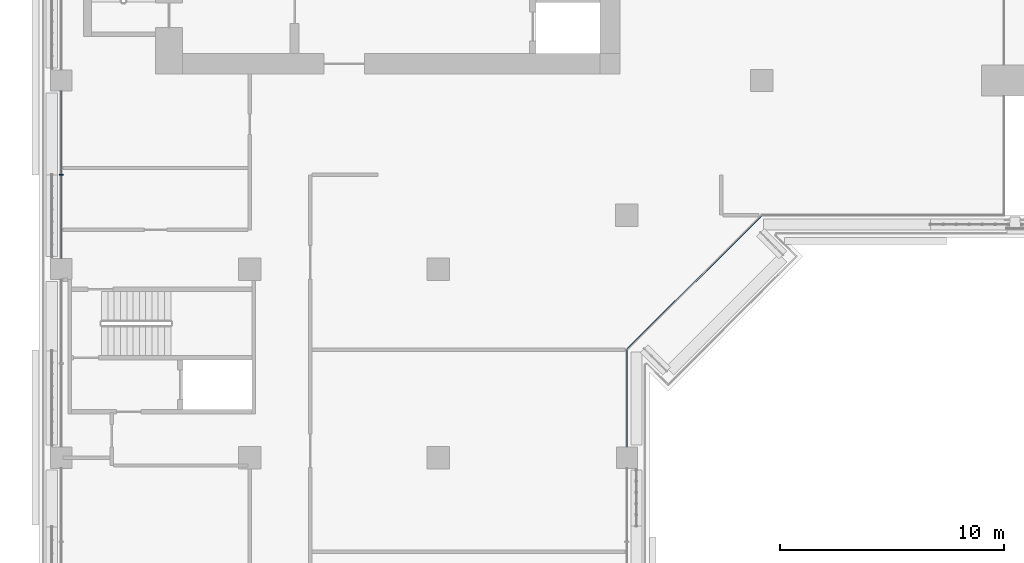
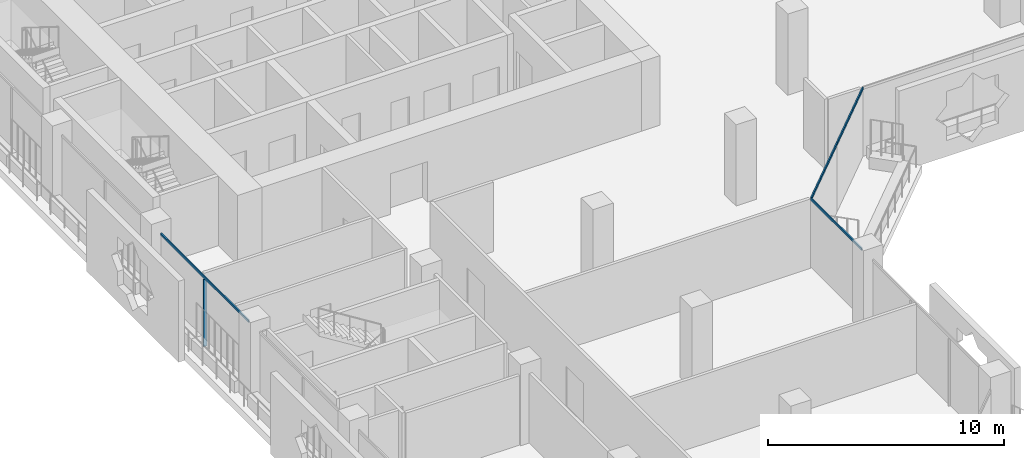
# One storey, part 3 of 23: 5 members, 3 elements without a shape of their own.
"""IFC4 building model written with IfcOpenShell, lengths in metres."""

from ifc_helpers import new_model, si_unit, direction, frame, origin, origin_2d, place, context, subcontext, project, spatial, rectangle, extrude, material, layer, layer_set, material_profile, profile_set, type_object, element, aggregate, save


model = new_model("IFC4")

# Units and contexts
model_context = context("Model", 3, precision=1e-05, world=origin(), true_north=direction((0.0, 1.0)))
body_context = subcontext(model_context, "Body", "Model", "MODEL_VIEW")
ifc_project = project(units=[si_unit("LENGTHUNIT", "METRE"), si_unit("AREAUNIT", "SQUARE_METRE"), si_unit("VOLUMEUNIT", "CUBIC_METRE"), si_unit("PLANEANGLEUNIT", "RADIAN"), si_unit("MASSUNIT", "GRAM", prefix="KILO")], contexts=[model_context])

# Site, building, storey
site_placement = place(None, origin())
site = spatial("IfcSite", under=ifc_project, at=site_placement, CompositionType="ELEMENT")
building_placement = place(site_placement, origin())
building = spatial("IfcBuilding", under=site, at=building_placement, Name="Kawkab Arch Medical Tower", CompositionType="ELEMENT")
storey_placement = place(building_placement, frame((0.0, 0.0, 158.39990234375)))
storey = spatial("IfcBuildingStorey", under=building, at=storey_placement, Name="L36", CompositionType="ELEMENT", Elevation=158.39990234375)

# Curtain wall, members
ifc_material_1 = material(Name="Bronze anodised aluminium curtain wall frame", Category="aluminium")
ifc_layer_1 = layer(ifc_material_1, 0.159912109375)
ifc_layer_set_1 = layer_set([ifc_layer_1], Name="Bronze anodised aluminium curtain wall frame")
curtain_wall_type_1 = type_object("IfcCurtainWallType", Name="CW1 ward curtain wall", PredefinedType="NOTDEFINED", material=ifc_layer_set_1)
placement = place(storey_placement, origin())
curtain_wall_1 = element("IfcCurtainWall", 1, at=placement, inside=storey, type_object=curtain_wall_type_1, Name="CW1 Ward curtain wall R11", PredefinedType="NOTDEFINED")
ifc_material_2 = material(Name="Bronze anodised aluminium curtain wall frame", Category="aluminium")
ifc_material_profile_1 = material_profile(ifc_material_2, rectangle(XDim=0.179931640625, YDim=0.06005859375, at=origin_2d()), Name="AL 60x180")
ifc_profile_set_1 = profile_set([ifc_material_profile_1], Name="Bronze anodised aluminium curtain wall frame")
member_type_1 = type_object("IfcMemberType", Name="CW1 mullion 60 x 180", PredefinedType="MULLION", material=ifc_profile_set_1)
member_1_placement = place(storey_placement, frame((0.0, -29.39990234375, 0.0), z_axis=(0.0, 0.0, 1.0), x_axis=(1.0, 0.0, 0.0)))
member_1 = element("IfcMember", 2, at=member_1_placement, type_object=member_type_1, Name="CW1 mullion 3.1", PredefinedType="MULLION", context=body_context, shape_type="SweptSolid", body=[
    extrude(rectangle(XDim=0.179931640625, YDim=0.06005859375, at=origin_2d()), origin(), (0.0, 0.0, 1.0), 3.47998046875),
])
ifc_material_3 = material(Name="Bronze anodised aluminium curtain wall frame", Category="aluminium")
ifc_material_profile_2 = material_profile(ifc_material_3, rectangle(XDim=0.06005859375, YDim=0.1201171875, at=origin_2d()), Name="AL 60x120")
ifc_profile_set_2 = profile_set([ifc_material_profile_2], Name="Bronze anodised aluminium curtain wall frame")
member_type_2 = type_object("IfcMemberType", Name="CW1 transom 120 x 60", PredefinedType="USERDEFINED", material=ifc_profile_set_2)
member_2_placement = place(storey_placement, frame((0.0, -25.675048828125, 3.5400390625), z_axis=(0.0, -1.0, 0.0), x_axis=(1.0, 0.0, 0.0)))
member_2 = element("IfcMember", 3, at=member_2_placement, type_object=member_type_2, Name="CW1 transom 3", ObjectType="TRANSOM", PredefinedType="USERDEFINED", context=body_context, shape_type="SweptSolid", body=[
    extrude(rectangle(XDim=0.06005859375, YDim=0.1201171875, at=origin_2d()), origin(), (0.0, 0.0, 1.0), 7.449951171875),
])
aggregate(curtain_wall_1, [member_2, member_1])

# Curtain wall, member
curtain_wall_2 = element("IfcCurtainWall", 4, at=placement, inside=storey, type_object=curtain_wall_type_1, Name="CW1 Ward curtain wall R15", PredefinedType="NOTDEFINED")
member_3_placement = place(storey_placement, frame((25.199951171875, -41.52490234375, 3.5400390625), z_axis=(0.0, 1.0, 0.0), x_axis=(-1.0, 0.0, 0.0)))
member_3 = element("IfcMember", 5, at=member_3_placement, type_object=member_type_2, Name="CW1 transom 2", ObjectType="TRANSOM", PredefinedType="USERDEFINED", context=body_context, shape_type="SweptSolid", body=[
    extrude(rectangle(XDim=0.06005859375, YDim=0.1201171875, at=origin_2d()), origin(), (0.0, 0.0, 1.0), 4.324951171875),
])
aggregate(curtain_wall_2, [member_3])

# Curtain wall, members
ifc_material_4 = material(Name="Bronze anodised aluminium curtain wall frame", Category="aluminium")
ifc_layer_2 = layer(ifc_material_4, 0.159912109375)
ifc_layer_set_2 = layer_set([ifc_layer_2], Name="Bronze anodised aluminium curtain wall frame")
curtain_wall_type_2 = type_object("IfcCurtainWallType", Name="CW2 chamfer curtain wall", PredefinedType="NOTDEFINED", material=ifc_layer_set_2)
curtain_wall_3 = element("IfcCurtainWall", 6, at=placement, inside=storey, type_object=curtain_wall_type_2, Name="CW2 Chamfer curtain wall R16", PredefinedType="NOTDEFINED")
ifc_material_5 = material(Name="Bronze anodised aluminium curtain wall frame", Category="aluminium")
ifc_material_profile_3 = material_profile(ifc_material_5, rectangle(XDim=0.06005859375, YDim=0.139892578125, at=origin_2d()), Name="AL 60x140")
ifc_profile_set_3 = profile_set([ifc_material_profile_3], Name="Bronze anodised aluminium curtain wall frame")
member_type_3 = type_object("IfcMemberType", Name="CW2 transom 140 x 60", PredefinedType="USERDEFINED", material=ifc_profile_set_3)
member_4_placement = place(storey_placement, frame((25.199951171875, -37.199951171875, 3.530029296875), z_axis=(0.707106781187, 0.707106781187, 0.0), x_axis=(-0.707106781187, 0.707106781187, 0.0)))
member_4 = element("IfcMember", 7, at=member_4_placement, type_object=member_type_3, Name="CW2 transom 1", ObjectType="TRANSOM", PredefinedType="USERDEFINED", context=body_context, shape_type="SweptSolid", body=[
    extrude(rectangle(XDim=0.06005859375, YDim=0.139892578125, at=origin_2d()), origin(), (0.0, 0.0, 1.0), 4.24267578125),
])
member_5_placement = place(storey_placement, frame((28.199951171875, -34.199951171875, 3.530029296875), z_axis=(0.707106781187, 0.707106781187, 0.0), x_axis=(-0.707106781187, 0.707106781187, 0.0)))
member_5 = element("IfcMember", 8, at=member_5_placement, type_object=member_type_3, Name="CW2 transom 2", ObjectType="TRANSOM", PredefinedType="USERDEFINED", context=body_context, shape_type="SweptSolid", body=[
    extrude(rectangle(XDim=0.06005859375, YDim=0.139892578125, at=origin_2d()), origin(), (0.0, 0.0, 1.0), 4.24267578125),
])
aggregate(curtain_wall_3, [member_4, member_5])

save(model, "model.ifc")
